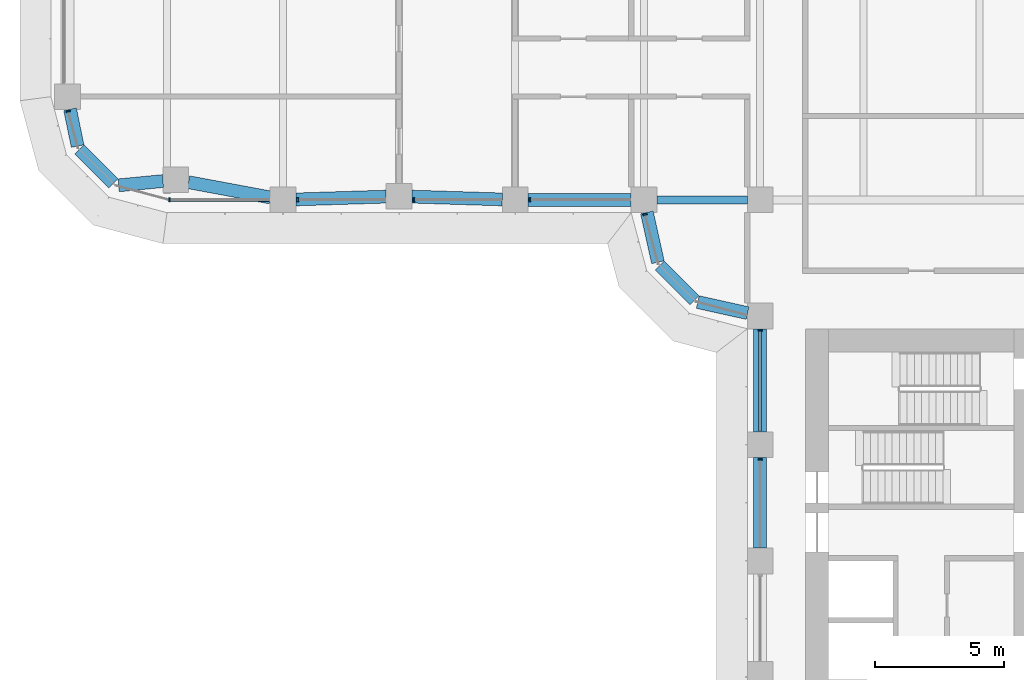
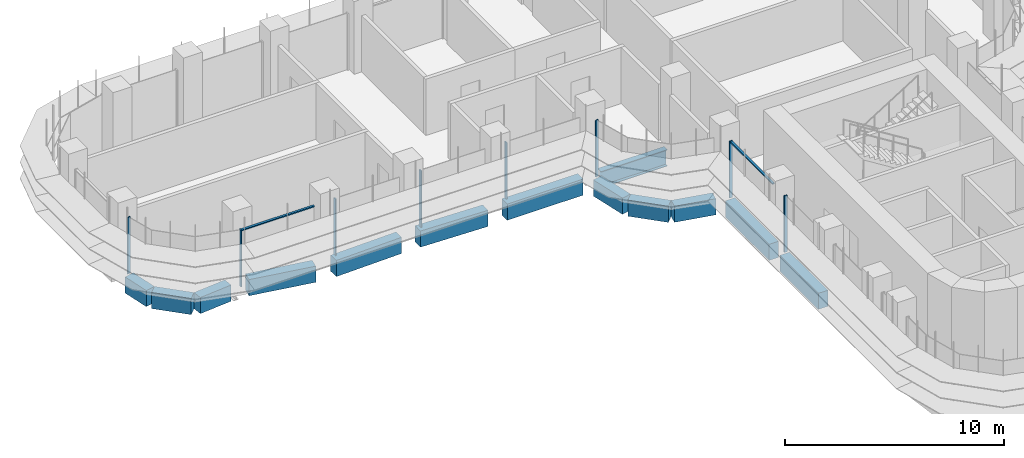
# One storey, part 3 of 23: 13 beams, 10 members, 4 elements without a shape of their own.
"""IFC4 building model written with IfcOpenShell, lengths in metres."""

import ifcopenshell
import ifcopenshell.guid

model = None  # the IFC model being written
_history = None  # IfcOwnerHistory: only IFC2X3 demands one
_inside = {}  # id of a spatial element -> (the spatial element, [elements in it])
_under = {}  # id of a project, library or spatial element -> (it, [spatial elements below it])
_declared = {}  # id of a project -> (the project, [libraries it declares])
_typed = {}  # id of a type object -> (the type object, [elements of that type])
_made_of = {}  # id of a material, layer set ... -> (it, [elements and type objects made of it])


def new_model(schema):
    """Start an empty IFC model of exactly this schema.

    Asked for "IFC4X3", IfcOpenShell would pick the latest addendum, in which some entities
    have other attributes; the version numbers below select the first issue.
    IFC2X3 requires an IfcOwnerHistory on every rooted entity: one is made here for all.
    """
    global model, _history
    if schema == "IFC4X3":
        model = ifcopenshell.file(schema_version=(4, 3, 0, 0))
    else:
        model = ifcopenshell.file(schema=schema)
    _inside.clear()
    _under.clear()
    _declared.clear()
    _typed.clear()
    _made_of.clear()
    _history = None
    if model.schema == "IFC2X3":
        org = make("IfcOrganization", Name="unknown")
        user = make(
            "IfcPersonAndOrganization",
            ThePerson=make("IfcPerson", FamilyName="unknown"),
            TheOrganization=org,
        )
        app = make(
            "IfcApplication",
            ApplicationDeveloper=org,
            Version="unknown",
            ApplicationFullName="unknown",
            ApplicationIdentifier="unknown",
        )
        _history = make(
            "IfcOwnerHistory",
            OwningUser=user,
            OwningApplication=app,
            ChangeAction="ADDED",
            CreationDate=0,
        )
    return model


def make(cls, **values):
    """One entity of the class cls with the attributes given. An attribute that is None is left unset."""
    return model.create_entity(
        cls, **{name: value for name, value in values.items() if value is not None}
    )


def rooted(cls, **values):
    """An entity with a GlobalId (a new one), such as an element, a storey or a relation."""
    return make(cls, GlobalId=ifcopenshell.guid.new(), OwnerHistory=_history, **values)


def si_unit(unit_type, name, prefix=None):
    """IfcSIUnit, for example si_unit("LENGTHUNIT", "METRE", prefix="MILLI")."""
    return make("IfcSIUnit", UnitType=unit_type, Prefix=prefix, Name=name)


def assignment(units):
    """IfcUnitAssignment: the units of a project."""
    return None if units is None else make("IfcUnitAssignment", Units=units)


def point(xyz):
    """IfcCartesianPoint."""
    return None if xyz is None else make("IfcCartesianPoint", Coordinates=xyz)


def direction(xyz):
    """IfcDirection."""
    return None if xyz is None else make("IfcDirection", DirectionRatios=xyz)


def frame(location, z_axis=None, x_axis=None):
    """IfcAxis2Placement3D, a coordinate frame: its origin and axes. An axis left out is left unset."""
    return make(
        "IfcAxis2Placement3D",
        Location=point(location),
        Axis=direction(z_axis),
        RefDirection=direction(x_axis),
    )


def frame_2d(location, x_axis=None):
    """IfcAxis2Placement2D, a coordinate frame in the plane: its origin and x axis."""
    return make(
        "IfcAxis2Placement2D", Location=point(location), RefDirection=direction(x_axis)
    )


def origin():
    """The frame at (0, 0, 0) with its axes left unset."""
    return frame((0.0, 0.0, 0.0))


def origin_2d():
    """The frame at (0, 0) in the plane with its x axis left unset."""
    return frame_2d((0.0, 0.0))


def place(relative_to, where):
    """IfcLocalPlacement: puts the frame where relative to a parent placement (None: the world)."""
    return make(
        "IfcLocalPlacement", PlacementRelTo=relative_to, RelativePlacement=where
    )


def context(
    kind, dimensions, precision=None, world=None, true_north=None, identifier=None
):
    """IfcGeometricRepresentationContext, for example the 3D "Model" context."""
    return make(
        "IfcGeometricRepresentationContext",
        ContextIdentifier=identifier,
        ContextType=kind,
        CoordinateSpaceDimension=dimensions,
        Precision=precision,
        WorldCoordinateSystem=world,
        TrueNorth=true_north,
    )


def subcontext(parent, identifier, kind, view, scale=None):
    """IfcGeometricRepresentationSubContext, for example "Body" below "Model"."""
    return make(
        "IfcGeometricRepresentationSubContext",
        ContextIdentifier=identifier,
        ContextType=kind,
        ParentContext=parent,
        TargetScale=scale,
        TargetView=view,
    )


def project(units=None, contexts=None):
    """IfcProject with its units and contexts."""
    return rooted(
        "IfcProject",
        Name="project",
        RepresentationContexts=contexts,
        UnitsInContext=assignment(units),
    )


def spatial(cls, under=None, at=None, **own):
    """A site, building, storey or space (cls), placed at a placement, below another one or the project."""
    s = rooted(cls, ObjectPlacement=at, **own)
    if under is not None:
        _under.setdefault(under.id(), (under, []))[1].append(s)
    return s


def polyline(points):
    """IfcPolyline through the points."""
    return make("IfcPolyline", Points=[point(p) for p in points])


def profile(cls, at=None, kind="AREA", **sizes):
    """A parametric profile (cls). Its sizes go by their IFC names, for example OverallWidth=200.0."""
    return make(cls, ProfileType=kind, Position=at, **sizes)


def rectangle(**sizes):
    """IfcRectangleProfileDef."""
    return profile("IfcRectangleProfileDef", **sizes)


def i_section(**sizes):
    """IfcIShapeProfileDef."""
    return profile("IfcIShapeProfileDef", **sizes)


def outline(outer, holes=None, kind="AREA"):
    """IfcArbitraryClosedProfileDef: a profile drawn as a closed curve; with holes, ...WithVoids."""
    if holes is None:
        return make("IfcArbitraryClosedProfileDef", ProfileType=kind, OuterCurve=outer)
    return make(
        "IfcArbitraryProfileDefWithVoids",
        ProfileType=kind,
        OuterCurve=outer,
        InnerCurves=holes,
    )


def extrude(swept, where, along, depth):
    """IfcExtrudedAreaSolid: the profile swept, set in the frame where, extruded along a direction by depth."""
    return make(
        "IfcExtrudedAreaSolid",
        SweptArea=swept,
        Position=where,
        ExtrudedDirection=direction(along),
        Depth=depth,
    )


def shape(context_of_items, identifier, shape_type, items):
    """IfcShapeRepresentation: the items that make up one representation, for example the "Body"."""
    return make(
        "IfcShapeRepresentation",
        ContextOfItems=context_of_items,
        RepresentationIdentifier=identifier,
        RepresentationType=shape_type,
        Items=items,
    )


def source(mapping_origin, context_of_items, identifier, shape_type, items):
    """IfcRepresentationMap: a shape defined once, which mapped items show again and again."""
    return make(
        "IfcRepresentationMap",
        MappingOrigin=mapping_origin,
        MappedRepresentation=shape(context_of_items, identifier, shape_type, items),
    )


def transform(
    local_origin,
    x_axis=None,
    y_axis=None,
    z_axis=None,
    scale=None,
    scale2=None,
    scale3=None,
    uniform=True,
):
    """IfcCartesianTransformationOperator3D, or its non-uniform kind. x_axis, y_axis, z_axis: its Axis1, 2, 3."""
    if uniform:
        return make(
            "IfcCartesianTransformationOperator3D",
            Axis1=direction(x_axis),
            Axis2=direction(y_axis),
            LocalOrigin=point(local_origin),
            Scale=scale,
            Axis3=direction(z_axis),
        )
    return make(
        "IfcCartesianTransformationOperator3DnonUniform",
        Axis1=direction(x_axis),
        Axis2=direction(y_axis),
        LocalOrigin=point(local_origin),
        Scale=scale,
        Axis3=direction(z_axis),
        Scale2=scale2,
        Scale3=scale3,
    )


def mapped(mapping_source, mapping_target):
    """IfcMappedItem: shows the shape of a source again, moved by a transform."""
    return make(
        "IfcMappedItem", MappingSource=mapping_source, MappingTarget=mapping_target
    )


def material(Name=None, Category=None):
    """IfcMaterial."""
    return make("IfcMaterial", Name=Name, Category=Category)


def material_profile(
    of_material, cross_section, Name=None, Category=None, Priority=None
):
    """IfcMaterialProfile: a cross section and its material."""
    return make(
        "IfcMaterialProfile",
        Name=Name,
        Material=of_material,
        Profile=cross_section,
        Priority=Priority,
        Category=Category,
    )


def profile_set(profiles, Name=None, composite=None):
    """IfcMaterialProfileSet."""
    return make(
        "IfcMaterialProfileSet",
        Name=Name,
        MaterialProfiles=profiles,
        CompositeProfile=composite,
    )


def made_of(thing, what):
    """Note that an element or type object is made of a material, layer set ...; save() writes the relation."""
    if what is not None:
        _made_of.setdefault(what.id(), (what, []))[1].append(thing)
    return thing


def type_object(cls, material=None, **own):
    """A type object (cls), such as IfcWallType, which elements share."""
    return made_of(rooted(cls, **own), material)


def element(
    cls,
    number,
    at=None,
    inside=None,
    cuts=None,
    type_object=None,
    material=None,
    context=None,
    identifier="Body",
    shape_type=None,
    held_by="IfcProductDefinitionShape",
    body=None,
    shapes=None,
    **own,
):
    """One element of the class cls, such as IfcWall. Its Tag is "e" and its number.

    at: its placement. inside: the storey or other place that contains it. cuts: it is an
    opening in that element (IfcRelVoidsElement). A single representation is given by context,
    identifier, shape_type and body (its items); several are given by shapes. held_by: the class
    of the entity that holds the representations. save() writes the other relations.
    """
    e = rooted(cls, Tag="e%d" % number, ObjectPlacement=at, **own)
    if body is not None:
        shapes = [shape(context, identifier, shape_type, body)]
    if shapes is not None:
        e.Representation = make(held_by, Representations=shapes)
    if inside is not None:
        _inside.setdefault(inside.id(), (inside, []))[1].append(e)
    if cuts is not None:
        rooted(
            "IfcRelVoidsElement", RelatingBuildingElement=cuts, RelatedOpeningElement=e
        )
    if type_object is not None:
        _typed.setdefault(type_object.id(), (type_object, []))[1].append(e)
    return made_of(e, material)


def aggregate(whole, parts):
    """IfcRelAggregates: a whole, such as a stair, and the parts it consists of."""
    return rooted("IfcRelAggregates", RelatingObject=whole, RelatedObjects=parts)


def save(model, path):
    """Write the relations noted so far, then the file.

    IfcRelAggregates (storeys below a building ...), IfcRelContainedInSpatialStructure (elements
    in a storey), IfcRelDefinesByType, IfcRelAssociatesMaterial and IfcRelDeclares: one each for
    every whole, place, type object, material and project.
    """
    for whole, parts in _under.values():
        aggregate(whole, parts)
    for where, things in _inside.values():
        rooted(
            "IfcRelContainedInSpatialStructure",
            RelatedElements=things,
            RelatingStructure=where,
        )
    for kind, things in _typed.values():
        rooted("IfcRelDefinesByType", RelatedObjects=things, RelatingType=kind)
    for what, things in _made_of.values():
        rooted("IfcRelAssociatesMaterial", RelatedObjects=things, RelatingMaterial=what)
    for by, libraries in _declared.values():
        rooted("IfcRelDeclares", RelatingContext=by, RelatedDefinitions=libraries)
    model.write(path)


model = new_model("IFC4")

# Units and contexts
model_context = context("Model", 3, precision=1e-05, world=origin(), true_north=direction((0.0, 1.0)))
body_context = subcontext(model_context, "Body", "Model", "MODEL_VIEW")
ifc_project = project(units=[si_unit("LENGTHUNIT", "METRE"), si_unit("AREAUNIT", "SQUARE_METRE"), si_unit("VOLUMEUNIT", "CUBIC_METRE"), si_unit("PLANEANGLEUNIT", "RADIAN"), si_unit("MASSUNIT", "GRAM", prefix="KILO")], contexts=[model_context])

# Site, building, storey
site_placement = place(None, origin())
site = spatial("IfcSite", under=ifc_project, at=site_placement, CompositionType="ELEMENT")
building_placement = place(site_placement, origin())
building = spatial("IfcBuilding", under=site, at=building_placement, Name="Zarbagh Exchange Tower", CompositionType="ELEMENT")
storey_placement = place(building_placement, frame((0.0, 0.0, 31.199951171875)))
storey = spatial("IfcBuildingStorey", under=building, at=storey_placement, Name="L06", CompositionType="ELEMENT", Elevation=31.199951171875)

# Beams
ifc_material_1 = material(Name="Steel ASTM A992 Gr 50", Category="steel")
ifc_material_profile_1 = material_profile(ifc_material_1, i_section(OverallWidth=0.3046875, OverallDepth=0.91943359375, WebThickness=0.017333984375, FlangeThickness=0.02783203125, at=origin_2d()), Name="W36X170")
ifc_profile_set_1 = profile_set([ifc_material_profile_1], Name="Steel ASTM A992 Gr 50")
beam_type_1 = type_object("IfcBeamType", Name="Floor girder W36X170", PredefinedType="BEAM", material=ifc_profile_set_1)
beam_1_placement = place(storey_placement, frame((-10.25, -6.25, -0.609619140625), z_axis=(1.0, 0.0, 0.0), x_axis=(0.0, 1.0, 0.0)))
element("IfcBeam", 1, at=beam_1_placement, inside=storey, type_object=beam_type_1, Name="Steel girder", PredefinedType="BEAM", context=body_context, shape_type="SweptSolid", body=[
    extrude(i_section(OverallWidth=0.3046875, OverallDepth=0.91943359375, WebThickness=0.017333984375, FlangeThickness=0.02783203125, at=origin_2d()), origin(), (0.0, 0.0, 1.0), 3.5),
])
ifc_material_2 = material(Name="Concrete C60/75", Category="concrete")
ifc_material_profile_2 = material_profile(ifc_material_2, rectangle(XDim=0.5, YDim=0.89990234375, at=origin_2d()), Name="RC spandrel beam 500 x 900 C60/75")
ifc_profile_set_2 = profile_set([ifc_material_profile_2], Name="Concrete C60/75")
beam_type_2 = type_object("IfcBeamType", Name="RC spandrel beam 500 x 900 C60/75", PredefinedType="SPANDREL", material=ifc_profile_set_2)
beam_2_placement = place(storey_placement, frame((-6.25, -19.75, -0.599853515625), z_axis=(0.0, 1.0, 0.0), x_axis=(-1.0, 0.0, 0.0)))
element("IfcBeam", 2, at=beam_2_placement, inside=storey, type_object=beam_type_2, Name="RC spandrel beam", PredefinedType="SPANDREL", context=body_context, shape_type="SweptSolid", body=[
    extrude(rectangle(XDim=0.5, YDim=0.89990234375, at=origin_2d()), origin(), (0.0, 0.0, 1.0), 3.5),
])
beam_3_placement = place(storey_placement, frame((-6.25, -15.25, -0.599853515625), z_axis=(0.0, 1.0, 0.0), x_axis=(-1.0, 0.0, 0.0)))
element("IfcBeam", 3, at=beam_3_placement, inside=storey, type_object=beam_type_2, Name="RC spandrel beam", PredefinedType="SPANDREL", context=body_context, shape_type="SweptSolid", body=[
    extrude(rectangle(XDim=0.5, YDim=0.89990234375, at=origin_2d()), origin(), (0.0, 0.0, 1.0), 4.0),
])
beam_4_placement = place(storey_placement, frame((-6.73828125, -10.64208984375, -0.599853515625), z_axis=(-0.976375426825, 0.216081063242, 0.0), x_axis=(-0.216081063242, -0.976375426825, 0.0)))
element("IfcBeam", 4, at=beam_4_placement, inside=storey, type_object=beam_type_2, Name="RC spandrel beam", PredefinedType="SPANDREL", context=body_context, shape_type="SweptSolid", body=[
    extrude(rectangle(XDim=0.5, YDim=0.89990234375, at=origin_2d()), origin(), (0.0, 0.0, 1.0), 1.978271484375),
])
beam_5_placement = place(storey_placement, frame((-8.792724609375, -10.147216796875, -0.599853515625), z_axis=(-0.707106781187, 0.707106781187, 0.0), x_axis=(-0.707106781187, -0.707106781187, 0.0)))
element("IfcBeam", 5, at=beam_5_placement, inside=storey, type_object=beam_type_2, Name="RC spandrel beam", PredefinedType="SPANDREL", context=body_context, shape_type="SweptSolid", body=[
    extrude(rectangle(XDim=0.5, YDim=0.89990234375, at=origin_2d()), origin(), (0.0, 0.0, 1.0), 1.91552734375),
])
beam_6_placement = place(storey_placement, frame((-10.214599609375, -8.669921875, -0.599853515625), z_axis=(-0.216081063242, 0.976375426825, 0.0), x_axis=(-0.976375426825, -0.216081063242, 0.0)))
element("IfcBeam", 6, at=beam_6_placement, inside=storey, type_object=beam_type_2, Name="RC spandrel beam", PredefinedType="SPANDREL", context=body_context, shape_type="SweptSolid", body=[
    extrude(rectangle(XDim=0.5, YDim=0.89990234375, at=origin_2d()), origin(), (0.0, 0.0, 1.0), 1.978271484375),
])
beam_7_placement = place(storey_placement, frame((-11.25, -6.25, -0.599853515625), z_axis=(-1.0, 0.0, 0.0), x_axis=(0.0, -1.0, 0.0)))
element("IfcBeam", 7, at=beam_7_placement, inside=storey, type_object=beam_type_2, Name="RC spandrel beam", PredefinedType="SPANDREL", context=body_context, shape_type="SweptSolid", body=[
    extrude(rectangle(XDim=0.5, YDim=0.89990234375, at=origin_2d()), origin(), (0.0, 0.0, 1.0), 4.0),
])
for number, where, z_axis, x_axis, name in (
    (8, (-16.249755859375, -6.234619140625, -0.599853515625), (-0.999514385708, 0.031160756759, 0.0), (-0.031160756759, -0.999514385708, 0.0), "RC spandrel beam"),
    (9, (-20.749755859375, -6.12548828125, -0.599853515625), (-0.999514385708, -0.031160756759, 0.0), (0.031160756759, -0.999514385708, 0.0), "RC spandrel beam"),
):
    element("IfcBeam", number, at=place(storey_placement, frame(where, z_axis=z_axis, x_axis=x_axis)), inside=storey, type_object=beam_type_2, Name=name, PredefinedType="SPANDREL", context=body_context, shape_type="SweptSolid", body=[
        extrude(rectangle(XDim=0.5, YDim=0.89990234375, at=origin_2d()), origin(), (0.0, 0.0, 1.0), 3.502197265625),
    ])
beam_8_placement = place(storey_placement, frame((-25.241455078125, -6.158447265625, -0.599853515625), z_axis=(-0.983069300761, 0.183234139565, 0.0), x_axis=(-0.183234139565, -0.983069300761, 0.0)))
element("IfcBeam", 10, at=beam_8_placement, inside=storey, type_object=beam_type_2, Name="RC spandrel beam", PredefinedType="SPANDREL", context=body_context, shape_type="SweptSolid", body=[
    extrude(rectangle(XDim=0.5, YDim=0.89990234375, at=origin_2d()), origin(), (0.0, 0.0, 1.0), 3.229736328125),
])
beam_9_placement = place(storey_placement, frame((-29.40576171875, -5.522705078125, -0.599853515625), z_axis=(-0.995431032456, -0.095483294999, 0.0), x_axis=(0.095483294999, -0.995431032456, 0.0)))
element("IfcBeam", 11, at=beam_9_placement, inside=storey, type_object=beam_type_2, Name="RC spandrel beam", PredefinedType="SPANDREL", context=body_context, shape_type="SweptSolid", body=[
    extrude(rectangle(XDim=0.5, YDim=0.89990234375, at=origin_2d()), origin(), (0.0, 0.0, 1.0), 1.725830078125),
])
beam_10_placement = place(storey_placement, frame((-31.324462890625, -5.615478515625, -0.599853515625), z_axis=(-0.707172099812, 0.707041456527, 0.0), x_axis=(-0.707041456527, -0.707172099812, 0.0)))
element("IfcBeam", 12, at=beam_10_placement, inside=storey, type_object=beam_type_2, Name="RC spandrel beam", PredefinedType="SPANDREL", context=body_context, shape_type="SweptSolid", body=[
    extrude(rectangle(XDim=0.5, YDim=0.89990234375, at=origin_2d()), origin(), (0.0, 0.0, 1.0), 1.86865234375),
])
beam_11_placement = place(storey_placement, frame((-32.714111328125, -4.16796875, -0.599853515625), z_axis=(-0.202068589164, 0.9793713725, 0.0), x_axis=(-0.9793713725, -0.202068589164, 0.0)))
element("IfcBeam", 13, at=beam_11_placement, inside=storey, type_object=beam_type_2, Name="RC spandrel beam", PredefinedType="SPANDREL", context=body_context, shape_type="SweptSolid", body=[
    extrude(rectangle(XDim=0.5, YDim=0.89990234375, at=origin_2d()), origin(), (0.0, 0.0, 1.0), 1.458251953125),
])

# Curtain wall, member
ifc_material_3 = material(Name="Anodised aluminium frame and glazing", Category="aluminium")
curtain_wall_type = type_object("IfcCurtainWallType", Name="CWA Ribbon glazing, lower zones", PredefinedType="NOTDEFINED", material=ifc_material_3)
curtain_wall_1_placement = place(storey_placement, origin())
curtain_wall_1 = element("IfcCurtainWall", 14, at=curtain_wall_1_placement, inside=storey, type_object=curtain_wall_type, Name="CWA37 curtain wall", PredefinedType="NOTDEFINED")
ifc_material_4 = material(Name="Anodised aluminium frame", Category="aluminium")
member_type_1 = type_object("IfcMemberType", Name="MUA Mullion, anodised aluminium frame", PredefinedType="MULLION", material=ifc_material_4)
shared_shape_1 = source(origin(), body_context, "Body", "SweptSolid", [
    extrude(outline(polyline([(0.0, -0.080078125), (0.06005859375, -0.080078125), (0.06005859375, 0.080078125), (0.0, 0.080078125), (0.0, -0.080078125)])), origin(), (0.0, 0.0, 1.0), 3.14990234375),
])
placement = place(storey_placement, origin())
member_1 = element("IfcMember", 15, at=placement, type_object=member_type_1, Name="CWA37 mullion 1.1", PredefinedType="MULLION", context=body_context, shape_type="MappedRepresentation", body=[
    mapped(shared_shape_1, transform((-33.087646484375, -2.7900390625, 0.0), x_axis=(0.258824779902, -0.965924289636, 0.0), y_axis=(0.965924289636, 0.258824779902, 0.0), z_axis=(0.0, 0.0, 1.0))),
])
aggregate(curtain_wall_1, [member_1])

# Curtain wall, members
curtain_wall_2_placement = place(storey_placement, origin())
curtain_wall_2 = element("IfcCurtainWall", 16, at=curtain_wall_2_placement, inside=storey, type_object=curtain_wall_type, Name="CWA40 curtain wall", PredefinedType="NOTDEFINED")
member_2 = element("IfcMember", 17, at=placement, type_object=member_type_1, Name="CWA40 mullion 1.1", PredefinedType="MULLION", context=body_context, shape_type="MappedRepresentation", body=[
    mapped(shared_shape_1, transform((-29.18408203125, -6.25, 0.0), x_axis=(1.0, 0.0, 0.0), y_axis=(0.0, 1.0, 0.0), z_axis=(0.0, 0.0, 1.0))),
])
member_3 = element("IfcMember", 18, at=placement, type_object=member_type_1, Name="CWA40 mullion 2.1", PredefinedType="MULLION", context=body_context, shape_type="MappedRepresentation", body=[
    mapped(shared_shape_1, transform((-24.2099609375, -6.25, 0.0), x_axis=(1.0, 0.0, 0.0), y_axis=(0.0, 1.0, 0.0), z_axis=(0.0, 0.0, 1.0))),
])
member_4 = element("IfcMember", 19, at=placement, type_object=member_type_1, Name="CWA40 mullion 3.1", PredefinedType="MULLION", context=body_context, shape_type="MappedRepresentation", body=[
    mapped(shared_shape_1, transform((-19.7099609375, -6.25, 0.0), x_axis=(1.0, 0.0, 0.0), y_axis=(0.0, 1.0, 0.0), z_axis=(0.0, 0.0, 1.0))),
])
member_5 = element("IfcMember", 20, at=placement, type_object=member_type_1, Name="CWA40 mullion 4.1", PredefinedType="MULLION", context=body_context, shape_type="MappedRepresentation", body=[
    mapped(shared_shape_1, transform((-15.2099609375, -6.25, 0.0), x_axis=(1.0, 0.0, 0.0), y_axis=(0.0, 1.0, 0.0), z_axis=(0.0, 0.0, 1.0))),
])

# Curtain wall, member
curtain_wall_3_placement = place(storey_placement, origin())
curtain_wall_3 = element("IfcCurtainWall", 21, at=curtain_wall_3_placement, inside=storey, type_object=curtain_wall_type, Name="CWA41 curtain wall", PredefinedType="NOTDEFINED")
member_6 = element("IfcMember", 22, at=placement, type_object=member_type_1, Name="CWA41 mullion 1.1", PredefinedType="MULLION", context=body_context, shape_type="MappedRepresentation", body=[
    mapped(shared_shape_1, transform((-10.7216796875, -6.7900390625, 0.0), x_axis=(0.258824779902, -0.965924289636, 0.0), y_axis=(0.965924289636, 0.258824779902, 0.0), z_axis=(0.0, 0.0, 1.0))),
])
aggregate(curtain_wall_3, [member_6])

# Curtain wall, members
curtain_wall_4_placement = place(storey_placement, origin())
curtain_wall_4 = element("IfcCurtainWall", 23, at=curtain_wall_4_placement, inside=storey, type_object=curtain_wall_type, Name="CWA44 curtain wall", PredefinedType="NOTDEFINED")
member_7 = element("IfcMember", 24, at=placement, type_object=member_type_1, Name="CWA44 mullion 1.1", PredefinedType="MULLION", context=body_context, shape_type="MappedRepresentation", body=[
    mapped(shared_shape_1, transform((-6.25, -11.2900390625, 0.0), x_axis=(0.0, -1.0, 0.0), y_axis=(1.0, 0.0, 0.0), z_axis=(0.0, 0.0, 1.0))),
])
member_8 = element("IfcMember", 25, at=placement, type_object=member_type_1, Name="CWA44 mullion 2.1", PredefinedType="MULLION", context=body_context, shape_type="MappedRepresentation", body=[
    mapped(shared_shape_1, transform((-6.25, -16.2900390625, 0.0), x_axis=(0.0, -1.0, 0.0), y_axis=(1.0, 0.0, 0.0), z_axis=(0.0, 0.0, 1.0))),
])
member_type_2 = type_object("IfcMemberType", Name="TRA Transom, anodised aluminium frame", PredefinedType="USERDEFINED", material=ifc_material_4)
shared_shape_2 = source(origin(), body_context, "Body", "SweptSolid", [
    extrude(outline(polyline([(-0.06005859375, -0.06005859375), (0.0, -0.06005859375), (0.0, 0.06005859375), (-0.06005859375, 0.06005859375), (-0.06005859375, -0.06005859375)])), origin(), (0.0, 0.0, 1.0), 3.860107421875),
])
member_9 = element("IfcMember", 26, at=placement, type_object=member_type_2, Name="CWA44 transom 1.1", ObjectType="TRANSOM", PredefinedType="USERDEFINED", context=body_context, shape_type="MappedRepresentation", body=[
    mapped(shared_shape_2, transform((-6.25, -11.35009765625, 3.150146484375), x_axis=(0.0, 0.0, 1.0), y_axis=(-1.0, 0.0, 0.0), z_axis=(0.0, -1.0, 0.0))),
])
aggregate(curtain_wall_4, [member_7, member_9, member_8])

# Member
shared_shape_3 = source(origin(), body_context, "Body", "SweptSolid", [
    extrude(outline(polyline([(-0.06005859375, -0.06005859375), (0.0, -0.06005859375), (0.0, 0.06005859375), (-0.06005859375, 0.06005859375), (-0.06005859375, -0.06005859375)])), origin(), (0.0, 0.0, 1.0), 3.834228515625),
])
member_10 = element("IfcMember", 27, at=placement, type_object=member_type_2, Name="CWA40 transom 1.1", ObjectType="TRANSOM", PredefinedType="USERDEFINED", context=body_context, shape_type="MappedRepresentation", body=[
    mapped(shared_shape_3, transform((-29.124267578125, -6.25, 3.150146484375), x_axis=(0.0, 0.0, 1.0), y_axis=(0.0, -1.0, 0.0), z_axis=(1.0, 0.0, 0.0))),
])

aggregate(curtain_wall_2, [member_2, member_10, member_3, member_4, member_5])

save(model, "model.ifc")
